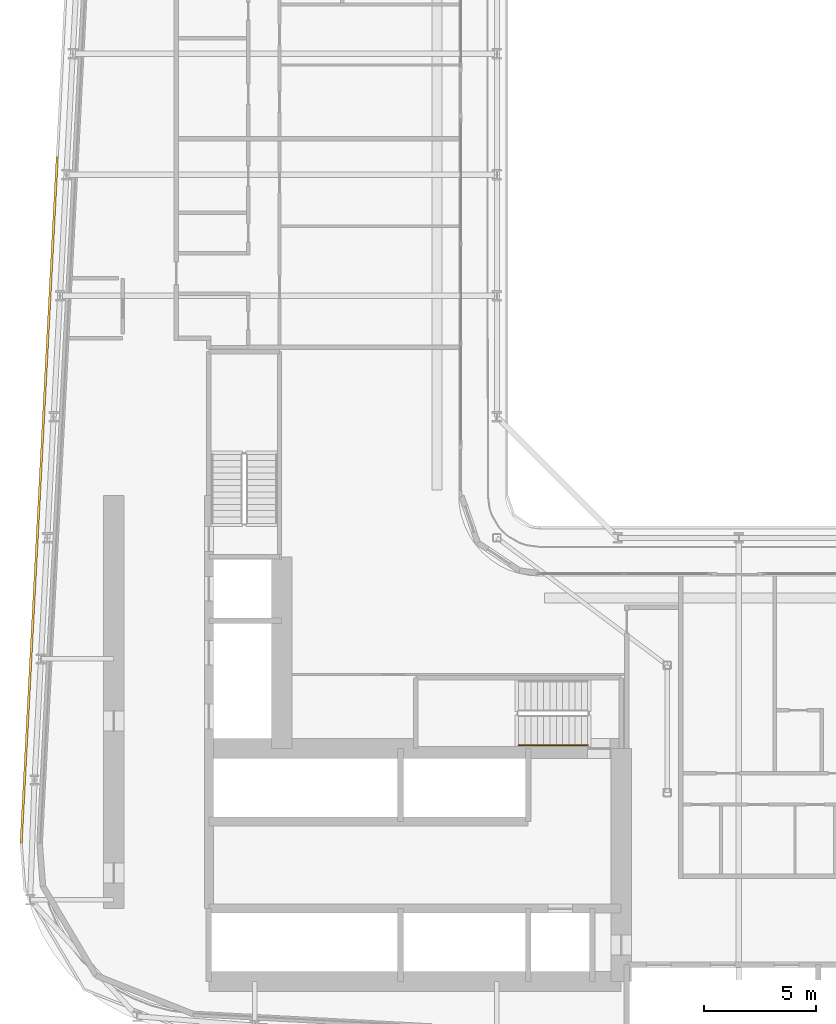
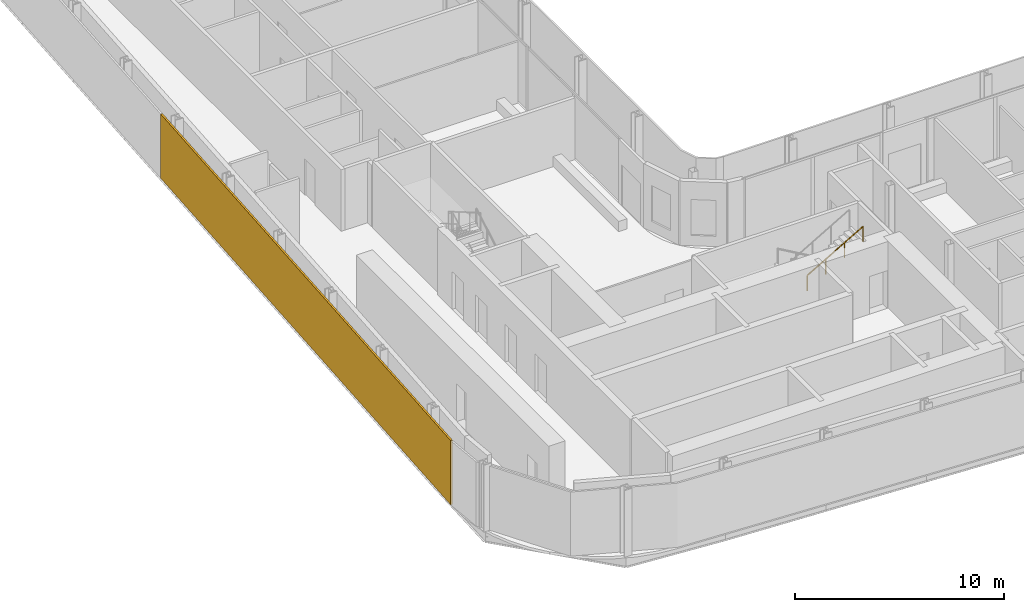
# One storey, part 19 of 25: 1 railing, 1 shading device.
"""IFC4 building model written with IfcOpenShell, lengths in metres."""

from ifc_helpers import new_model, si_unit, direction, frame, origin, origin_2d, place, context, subcontext, project, spatial, rectangle, circle, extrude, material, layer, layer_set, type_object, element, save


model = new_model("IFC4")

# Units and contexts
model_context = context("Model", 3, precision=1e-05, world=origin(), true_north=direction((0.0, 1.0)))
body_context = subcontext(model_context, "Body", "Model", "MODEL_VIEW")
ifc_project = project(units=[si_unit("LENGTHUNIT", "METRE"), si_unit("AREAUNIT", "SQUARE_METRE"), si_unit("VOLUMEUNIT", "CUBIC_METRE"), si_unit("PLANEANGLEUNIT", "RADIAN"), si_unit("MASSUNIT", "GRAM", prefix="KILO")], contexts=[model_context])

# Site, building, storey
site_placement = place(None, origin())
site = spatial("IfcSite", under=ifc_project, at=site_placement, CompositionType="ELEMENT")
building_placement = place(site_placement, origin())
building = spatial("IfcBuilding", under=site, at=building_placement, Name="Kheshtan School and Residences Tower", CompositionType="ELEMENT")
storey_placement = place(building_placement, frame((0.0, 0.0, 109.699951171875)))
storey = spatial("IfcBuildingStorey", under=building, at=storey_placement, Name="L25", CompositionType="ELEMENT", Elevation=109.699951171875)

# Shading device
ifc_material_1 = material(Name="Terracotta baguette, extruded ceramic", Category="masonry")
ifc_layer = layer(ifc_material_1, 0.10009765625)
ifc_layer_set = layer_set([ifc_layer], Name="Ledge screen, terracotta baguettes")
shading_device_type = type_object("IfcShadingDeviceType", Name="Ledge screen, terracotta baguettes", PredefinedType="USERDEFINED", material=ifc_layer_set)
shading_device_placement = place(storey_placement, frame((27.175048828125, 47.2890625, 0.0), z_axis=(0.0, 0.0, 1.0), x_axis=(0.052562536748, 0.998617634398, 0.0)))
element("IfcShadingDevice", 1, at=shading_device_placement, inside=storey, type_object=shading_device_type, Name="Screen L25 4", ObjectType="BAGUETTE", PredefinedType="USERDEFINED", context=body_context, shape_type="SweptSolid", body=[
    extrude(rectangle(XDim=30.636962890625, YDim=0.10009765625, at=origin_2d()), origin(), (0.0, 0.0, 1.0), 3.75),
])

# Railing
ifc_material_2 = material(Name="Stainless steel handrail", Category="steel")
railing_type = type_object("IfcRailingType", Name="Stair handrail 900", PredefinedType="HANDRAIL", material=ifc_material_2)
railing_placement = place(storey_placement, frame((48.570068359375, 36.35009765625, 2.112548828125)))
element("IfcRailing", 2, at=railing_placement, inside=storey, type_object=railing_type, Name="L25 ST1 stair handrail 2", PredefinedType="HANDRAIL", context=body_context, shape_type="SweptSolid", body=[
    extrude(circle(Radius=0.02392578125, at=origin_2d()), frame((0.0, 0.0, 0.8759765625), z_axis=(0.864873446163, 0.0, 0.501989962173), x_axis=(0.0, 1.0, 0.0)), (0.0, 0.0, 1.0), 3.56103515625),
    extrude(circle(Radius=0.02099609375, at=origin_2d()), origin(), (0.0, 0.0, 1.0), 0.851806640625),
    extrude(circle(Radius=0.02099609375, at=origin_2d()), frame((1.026611328125, 0.0, 0.595947265625)), (0.0, 0.0, 1.0), 0.851806640625),
    extrude(circle(Radius=0.02099609375, at=origin_2d()), frame((2.05322265625, 0.0, 1.191650390625)), (0.0, 0.0, 1.0), 0.851806640625),
    extrude(circle(Radius=0.02099609375, at=origin_2d()), frame((3.079833984375, 0.0, 1.78759765625)), (0.0, 0.0, 1.0), 0.851806640625),
])

save(model, "model.ifc")
